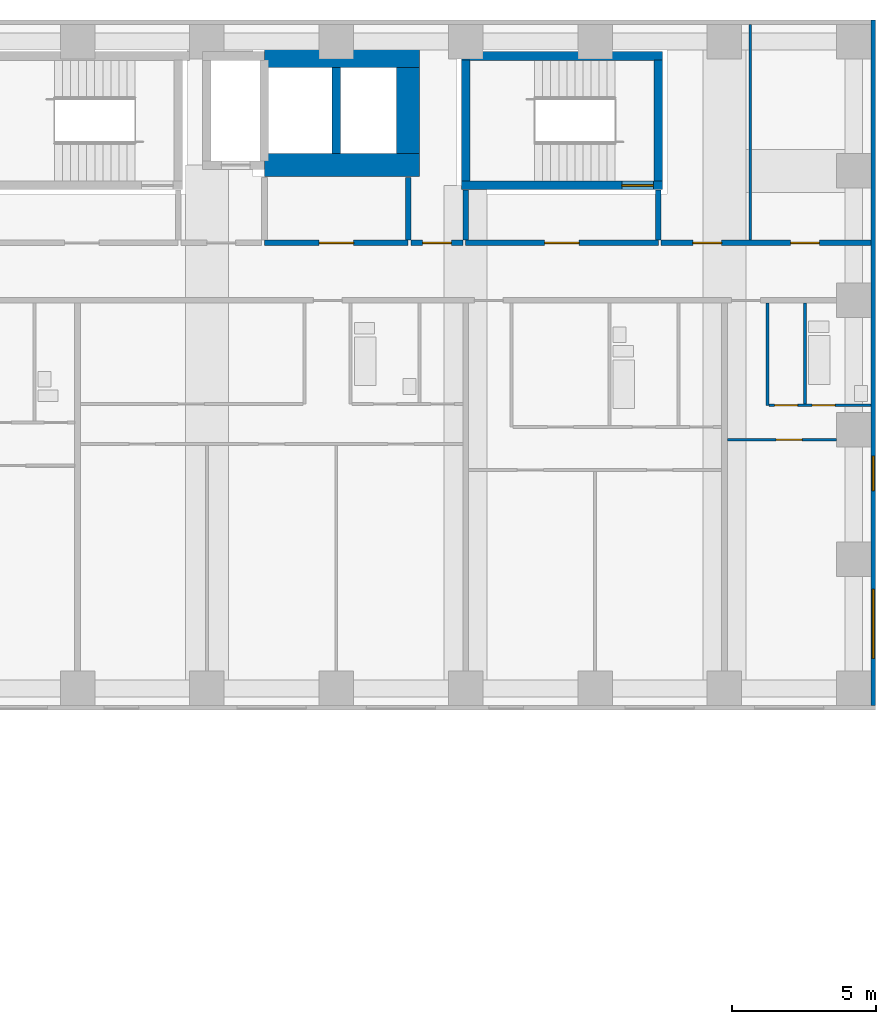
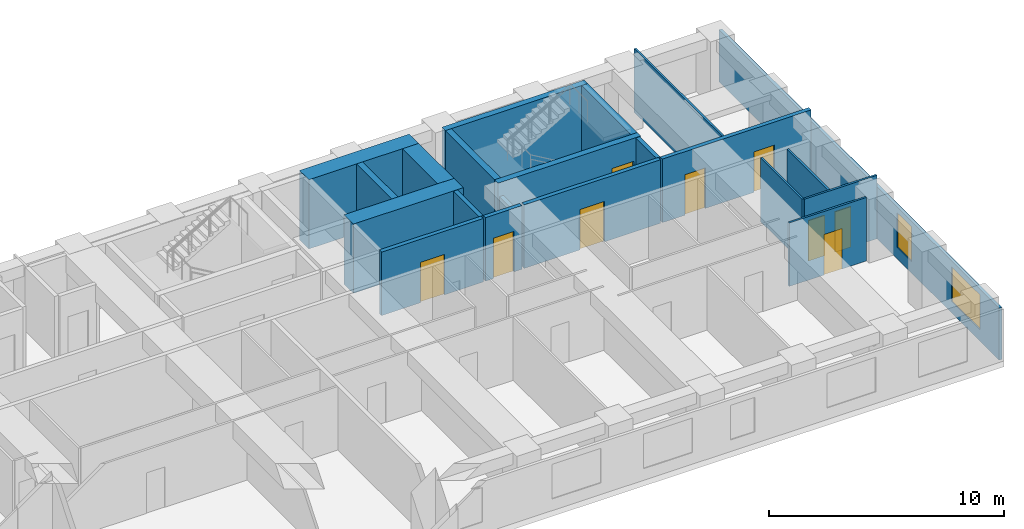
# One storey, part 8 of 11: 21 walls, 9 doors, 2 windows, 11 openings.
"""IFC4 building model written with IfcOpenShell, lengths in metres."""

from ifc_helpers import new_model, si_unit, direction, frame, frame_2d, origin, place, context, subcontext, project, spatial, rectangle, extrude, material, layer, layer_set, type_object, element, fill, save


model = new_model("IFC4")

# Units and contexts
model_context = context("Model", 3, precision=1e-05, world=origin(), true_north=direction((0.0, 1.0)))
body_context = subcontext(model_context, "Body", "Model", "MODEL_VIEW")
ifc_project = project(units=[si_unit("LENGTHUNIT", "METRE"), si_unit("AREAUNIT", "SQUARE_METRE"), si_unit("VOLUMEUNIT", "CUBIC_METRE"), si_unit("PLANEANGLEUNIT", "RADIAN"), si_unit("MASSUNIT", "GRAM", prefix="KILO")], contexts=[model_context])

# Site, building, storey
site_placement = place(None, origin())
site = spatial("IfcSite", under=ifc_project, at=site_placement, CompositionType="ELEMENT")
building_placement = place(site_placement, origin())
building = spatial("IfcBuilding", under=site, at=building_placement, Name="Firuza Court", CompositionType="ELEMENT")
storey_placement = place(building_placement, frame((0.0, 0.0, 57.800048828125)))
storey = spatial("IfcBuildingStorey", under=building, at=storey_placement, Name="L13", CompositionType="ELEMENT", Elevation=57.800048828125)

# Walls
ifc_material_1 = material(Name="Moisture-resistant gypsum board partition")
ifc_layer_1 = layer(ifc_material_1, 0.10009765625)
ifc_layer_set_1 = layer_set([ifc_layer_1], Name="Moisture-resistant gypsum board partition")
wall_type_1 = type_object("IfcWallType", Name="Bathroom partition 100", PredefinedType="PLUMBINGWALL", material=ifc_layer_set_1)
wall_1_placement = place(storey_placement, frame((65.800048828125, 45.89990234375, 0.0), z_axis=(0.0, 0.0, 1.0), x_axis=(0.0, 1.0, 0.0)))
element("IfcWall", 1, at=wall_1_placement, inside=storey, type_object=wall_type_1, Name="Bathroom partition 100 L13", PredefinedType="PLUMBINGWALL", context=body_context, shape_type="SweptSolid", body=[
    extrude(rectangle(XDim=3.5, YDim=0.10009765625, at=frame_2d((1.75, 0.0))), origin(), (0.0, 0.0, 1.0), 3.300048828125),
])
ifc_material_2 = material(Name="Concrete C60/75", Category="concrete")
ifc_layer_2 = layer(ifc_material_2, 0.300048828125)
ifc_layer_set_2 = layer_set([ifc_layer_2], Name="Concrete C60/75")
wall_type_2 = type_object("IfcWallType", Name="Core wall 300 C60/75", PredefinedType="SHEAR", material=ifc_layer_set_2)
wall_2_placement = place(storey_placement, frame((49.5, 54.60009765625, -0.300048828125), z_axis=(0.0, 0.0, 1.0), x_axis=(0.0, 1.0, 0.0)))
element("IfcWall", 2, at=wall_2_placement, inside=storey, type_object=wall_type_2, Name="Core wall lift shaft L13", PredefinedType="SHEAR", context=body_context, shape_type="SweptSolid", body=[
    extrude(rectangle(XDim=3.0, YDim=0.300048828125, at=frame_2d((1.5, 0.0))), origin(), (0.0, 0.0, 1.0), 3.60009765625),
])

# Wall, opening, door
wall_3_placement = place(storey_placement, frame((53.85009765625, 53.5, -0.300048828125), z_axis=(0.0, 0.0, 1.0), x_axis=(1.0, 0.0, 0.0)))
wall_3 = element("IfcWall", 3, at=wall_3_placement, inside=storey, type_object=wall_type_2, Name="Core wall stair L13", PredefinedType="SHEAR", context=body_context, shape_type="SweptSolid", body=[
    extrude(rectangle(XDim=7.0, YDim=0.300048828125, at=frame_2d((3.5, 0.0))), origin(), (0.0, 0.0, 1.0), 3.60009765625),
])
opening_1_placement = place(wall_3_placement, frame((5.580078125, 0.0, 0.300048828125)))
opening_1 = element("IfcOpeningElement", 4, at=opening_1_placement, cuts=wall_3, Name="Opening D13017", PredefinedType="OPENING", context=body_context, shape_type="SweptSolid", body=[
    extrude(rectangle(XDim=1.10009765625, YDim=2.10009765625, at=frame_2d((0.550048828125, 1.050048828125))), frame((0.0, 0.162109375, 0.0), z_axis=(0.0, -1.0, 0.0), x_axis=(1.0, 0.0, 0.0)), (0.0, 0.0, 1.0), 0.323974609375),
])
ifc_material_3 = material(Name="Timber door leaf in hardwood frame", Category="wood")
door_type_1 = type_object("IfcDoorType", Name="Stair door 1100", OperationType="SINGLE_SWING_LEFT", PredefinedType="DOOR", material=ifc_material_3)
door_1_placement = place(opening_1_placement, origin())
door_1 = element("IfcDoor", 5, at=door_1_placement, inside=storey, type_object=door_type_1, Name="Stair door S4", OperationType="SINGLE_SWING_RIGHT", OverallHeight=2.10009765625, OverallWidth=1.10009765625, PredefinedType="DOOR", context=body_context, shape_type="SweptSolid", body=[
    extrude(rectangle(XDim=1.10009765625, YDim=2.10009765625, at=frame_2d((0.550048828125, 1.050048828125))), frame((0.0, 0.02490234375, 0.0), z_axis=(0.0, -1.0, 0.0), x_axis=(1.0, 0.0, 0.0)), (0.0, 0.0, 1.0), 0.050048828125),
])
fill(opening_1, door_1)

# Walls
wall_4_placement = place(storey_placement, frame((53.85009765625, 58.0, -0.300048828125), z_axis=(0.0, 0.0, 1.0), x_axis=(1.0, 0.0, 0.0)))
element("IfcWall", 6, at=wall_4_placement, inside=storey, type_object=wall_type_2, Name="Core wall stair L13", PredefinedType="SHEAR", context=body_context, shape_type="SweptSolid", body=[
    extrude(rectangle(XDim=7.0, YDim=0.300048828125, at=frame_2d((3.5, 0.0))), origin(), (0.0, 0.0, 1.0), 3.60009765625),
])
for number, where, z_axis, x_axis, name in (
    (7, (54.0, 53.64990234375, -0.300048828125), (0.0, 0.0, 1.0), (0.0, 1.0, 0.0), "Core wall stair L13"),
    (8, (60.699951171875, 53.64990234375, -0.300048828125), (0.0, 0.0, 1.0), (0.0, 1.0, 0.0), "Core wall stair L13"),
):
    element("IfcWall", number, at=place(storey_placement, frame(where, z_axis=z_axis, x_axis=x_axis)), inside=storey, type_object=wall_type_2, Name=name, PredefinedType="SHEAR", context=body_context, shape_type="SweptSolid", body=[
        extrude(rectangle(XDim=4.2001953125, YDim=0.300048828125, at=frame_2d((2.10009765625, 0.0))), origin(), (0.0, 0.0, 1.0), 3.60009765625),
    ])
ifc_layer_3 = layer(ifc_material_2, 0.800048828125)
ifc_layer_set_3 = layer_set([ifc_layer_3], Name="Concrete C60/75")
wall_type_3 = type_object("IfcWallType", Name="Core wall 800 C60/75", PredefinedType="SHEAR", material=ifc_layer_set_3)
for number, where, z_axis, x_axis, name in (
    (9, (47.0, 54.199951171875, -0.300048828125), (0.0, 0.0, 1.0), (1.0, 0.0, 0.0), "Core wall lift shaft L13"),
    (10, (47.0, 58.0, -0.300048828125), (0.0, 0.0, 1.0), (1.0, 0.0, 0.0), "Core wall lift shaft L13"),
):
    element("IfcWall", number, at=place(storey_placement, frame(where, z_axis=z_axis, x_axis=x_axis)), inside=storey, type_object=wall_type_3, Name=name, PredefinedType="SHEAR", context=body_context, shape_type="SweptSolid", body=[
        extrude(rectangle(XDim=5.39990234375, YDim=0.800048828125, at=frame_2d((2.699951171875, 0.0))), origin(), (0.0, 0.0, 1.0), 3.60009765625),
    ])
wall_5_placement = place(storey_placement, frame((52.0, 54.60009765625, -0.300048828125), z_axis=(0.0, 0.0, 1.0), x_axis=(0.0, 1.0, 0.0)))
element("IfcWall", 11, at=wall_5_placement, inside=storey, type_object=wall_type_3, Name="Core wall lift shaft L13", PredefinedType="SHEAR", context=body_context, shape_type="SweptSolid", body=[
    extrude(rectangle(XDim=3.0, YDim=0.800048828125, at=frame_2d((1.5, 0.0))), origin(), (0.0, 0.0, 1.0), 3.60009765625),
])

# Wall, opening, door
ifc_material_4 = material(Name="Blockwork, plastered both sides", Category="masonry")
ifc_layer_4 = layer(ifc_material_4, 0.199951171875)
ifc_layer_set_4 = layer_set([ifc_layer_4], Name="Blockwork, plastered both sides")
wall_type_4 = type_object("IfcWallType", Name="Corridor wall 200", PredefinedType="PARTITIONING", material=ifc_layer_set_4)
wall_6_placement = place(storey_placement, frame((52.10009765625, 51.5, 0.0), z_axis=(0.0, 0.0, 1.0), x_axis=(1.0, 0.0, 0.0)))
wall_6 = element("IfcWall", 12, at=wall_6_placement, inside=storey, type_object=wall_type_4, Name="Corridor wall 200 L13", PredefinedType="PARTITIONING", context=body_context, shape_type="SweptSolid", body=[
    extrude(rectangle(XDim=1.7998046875, YDim=0.199951171875, at=frame_2d((0.89990234375, 0.0))), origin(), (0.0, 0.0, 1.0), 3.300048828125),
])
opening_2_placement = place(wall_6_placement, frame((0.39990234375, 0.0, 0.0)))
opening_2 = element("IfcOpeningElement", 13, at=opening_2_placement, cuts=wall_6, Name="Opening D13072", PredefinedType="OPENING", context=body_context, shape_type="SweptSolid", body=[
    extrude(rectangle(XDim=1.0, YDim=2.10009765625, at=frame_2d((0.5, 1.050048828125))), frame((0.0, 0.11181640625, 0.0), z_axis=(0.0, -1.0, 0.0), x_axis=(1.0, 0.0, 0.0)), (0.0, 0.0, 1.0), 0.223876953125),
])
ifc_material_5 = material(Name="Timber door leaf in hardwood frame", Category="wood")
door_type_2 = type_object("IfcDoorType", Name="Store door 1000", OperationType="SINGLE_SWING_LEFT", PredefinedType="DOOR", material=ifc_material_5)
door_2_placement = place(opening_2_placement, origin())
door_2 = element("IfcDoor", 14, at=door_2_placement, inside=storey, type_object=door_type_2, Name="Luggage store door", OperationType="SINGLE_SWING_LEFT", OverallHeight=2.10009765625, OverallWidth=1.0, PredefinedType="DOOR", context=body_context, shape_type="SweptSolid", body=[
    extrude(rectangle(XDim=1.0, YDim=2.10009765625, at=frame_2d((0.5, 1.050048828125))), frame((0.0, 0.02490234375, 0.0), z_axis=(0.0, -1.0, 0.0), x_axis=(1.0, 0.0, 0.0)), (0.0, 0.0, 1.0), 0.050048828125),
])
fill(opening_2, door_2)

# Wall, openings, doors
wall_7_placement = place(storey_placement, frame((60.800048828125, 51.5, 0.0), z_axis=(0.0, 0.0, 1.0), x_axis=(1.0, 0.0, 0.0)))
wall_7 = element("IfcWall", 15, at=wall_7_placement, inside=storey, type_object=wall_type_4, Name="Corridor wall 200 L13", PredefinedType="PARTITIONING", context=body_context, shape_type="SweptSolid", body=[
    extrude(rectangle(XDim=7.300048828125, YDim=0.199951171875, at=frame_2d((3.64990234375, 0.0))), origin(), (0.0, 0.0, 1.0), 3.300048828125),
])
opening_3_placement = place(wall_7_placement, frame((1.10009765625, 0.0, 0.0)))
opening_3 = element("IfcOpeningElement", 16, at=opening_3_placement, cuts=wall_7, Name="Opening D13073", PredefinedType="OPENING", context=body_context, shape_type="SweptSolid", body=[
    extrude(rectangle(XDim=1.0, YDim=2.10009765625, at=frame_2d((0.5, 1.050048828125))), frame((0.0, 0.11181640625, 0.0), z_axis=(0.0, -1.0, 0.0), x_axis=(1.0, 0.0, 0.0)), (0.0, 0.0, 1.0), 0.223876953125),
])
opening_4_placement = place(wall_7_placement, frame((4.5, 0.0, 0.0)))
opening_4 = element("IfcOpeningElement", 17, at=opening_4_placement, cuts=wall_7, Name="Opening D13074", PredefinedType="OPENING", context=body_context, shape_type="SweptSolid", body=[
    extrude(rectangle(XDim=1.0, YDim=2.10009765625, at=frame_2d((0.5, 1.050048828125))), frame((0.0, 0.11181640625, 0.0), z_axis=(0.0, -1.0, 0.0), x_axis=(1.0, 0.0, 0.0)), (0.0, 0.0, 1.0), 0.223876953125),
])
door_3_placement = place(opening_3_placement, origin())
door_3 = element("IfcDoor", 18, at=door_3_placement, inside=storey, type_object=door_type_2, Name="Comms room door", OperationType="SINGLE_SWING_LEFT", OverallHeight=2.10009765625, OverallWidth=1.0, PredefinedType="DOOR", context=body_context, shape_type="SweptSolid", body=[
    extrude(rectangle(XDim=1.0, YDim=2.10009765625, at=frame_2d((0.5, 1.050048828125))), frame((0.0, 0.02490234375, 0.0), z_axis=(0.0, -1.0, 0.0), x_axis=(1.0, 0.0, 0.0)), (0.0, 0.0, 1.0), 0.050048828125),
])
fill(opening_3, door_3)
door_4_placement = place(opening_4_placement, origin())
door_4 = element("IfcDoor", 19, at=door_4_placement, inside=storey, type_object=door_type_2, Name="Parcel room door", OperationType="SINGLE_SWING_LEFT", OverallHeight=2.10009765625, OverallWidth=1.0, PredefinedType="DOOR", context=body_context, shape_type="SweptSolid", body=[
    extrude(rectangle(XDim=1.0, YDim=2.10009765625, at=frame_2d((0.5, 1.050048828125))), frame((0.0, 0.02490234375, 0.0), z_axis=(0.0, -1.0, 0.0), x_axis=(1.0, 0.0, 0.0)), (0.0, 0.0, 1.0), 0.050048828125),
])
fill(opening_4, door_4)

# Wall, opening, door
ifc_material_6 = material(Name="Timber stud partition, plasterboard both sides", Category="wood")
ifc_layer_5 = layer(ifc_material_6, 0.10009765625)
ifc_layer_set_5 = layer_set([ifc_layer_5], Name="Timber stud partition, plasterboard both sides")
wall_type_5 = type_object("IfcWallType", Name="Partition wall 100", PredefinedType="PARTITIONING", material=ifc_layer_set_5)
wall_8_placement = place(storey_placement, frame((63.10009765625, 44.64990234375, 0.0), z_axis=(0.0, 0.0, 1.0), x_axis=(1.0, 0.0, 0.0)))
wall_8 = element("IfcWall", 20, at=wall_8_placement, inside=storey, type_object=wall_type_5, Name="Partition wall 100 L13", PredefinedType="PARTITIONING", context=body_context, shape_type="SweptSolid", body=[
    extrude(rectangle(XDim=3.7998046875, YDim=0.10009765625, at=frame_2d((1.89990234375, 0.0))), origin(), (0.0, 0.0, 1.0), 3.300048828125),
])
opening_5_placement = place(wall_8_placement, frame((1.699951171875, 0.0, 0.0)))
opening_5 = element("IfcOpeningElement", 21, at=opening_5_placement, cuts=wall_8, Name="Opening D13050", PredefinedType="OPENING", context=body_context, shape_type="SweptSolid", body=[
    extrude(rectangle(XDim=0.89990234375, YDim=2.10009765625, at=frame_2d((0.449951171875, 1.050048828125))), frame((0.0, 0.06201171875, 0.0), z_axis=(0.0, -1.0, 0.0), x_axis=(1.0, 0.0, 0.0)), (0.0, 0.0, 1.0), 0.1240234375),
])
ifc_material_7 = material(Name="Timber door leaf in hardwood frame", Category="wood")
door_type_3 = type_object("IfcDoorType", Name="Room door 900", OperationType="SINGLE_SWING_LEFT", PredefinedType="DOOR", material=ifc_material_7)
door_5_placement = place(opening_5_placement, frame((0.89990234375, 0.0, 0.0), z_axis=(0.0, 0.0, 1.0), x_axis=(-1.0, 0.0, 0.0)))
door_5 = element("IfcDoor", 22, at=door_5_placement, inside=storey, type_object=door_type_3, Name="Studio room door", OperationType="SINGLE_SWING_LEFT", OverallHeight=2.10009765625, OverallWidth=0.89990234375, PredefinedType="DOOR", context=body_context, shape_type="SweptSolid", body=[
    extrude(rectangle(XDim=0.89990234375, YDim=2.10009765625, at=frame_2d((0.449951171875, 1.050048828125))), frame((0.0, 0.02490234375, 0.0), z_axis=(0.0, -1.0, 0.0), x_axis=(1.0, 0.0, 0.0)), (0.0, 0.0, 1.0), 0.050048828125),
])
fill(opening_5, door_5)

# Wall
wall_9_placement = place(storey_placement, frame((64.5, 45.85009765625, 0.0), z_axis=(0.0, 0.0, 1.0), x_axis=(0.0, 1.0, 0.0)))
element("IfcWall", 23, at=wall_9_placement, inside=storey, type_object=wall_type_5, Name="Partition wall 100 L13", PredefinedType="PARTITIONING", context=body_context, shape_type="SweptSolid", body=[
    extrude(rectangle(XDim=3.5498046875, YDim=0.10009765625, at=frame_2d((1.77490234375, 0.0))), origin(), (0.0, 0.0, 1.0), 3.300048828125),
])

# Wall, openings, doors
wall_10_placement = place(storey_placement, frame((64.550048828125, 45.85009765625, 0.0), z_axis=(0.0, 0.0, 1.0), x_axis=(1.0, 0.0, 0.0)))
wall_10 = element("IfcWall", 24, at=wall_10_placement, inside=storey, type_object=wall_type_5, Name="Partition wall 100 L13", PredefinedType="PARTITIONING", context=body_context, shape_type="SweptSolid", body=[
    extrude(rectangle(XDim=3.550048828125, YDim=0.10009765625, at=frame_2d((1.77490234375, 0.0))), origin(), (0.0, 0.0, 1.0), 3.300048828125),
])
opening_6_placement = place(wall_10_placement, frame((1.5, 0.0, 0.0)))
opening_6 = element("IfcOpeningElement", 25, at=opening_6_placement, cuts=wall_10, Name="Opening D13059", PredefinedType="OPENING", context=body_context, shape_type="SweptSolid", body=[
    extrude(rectangle(XDim=0.800048828125, YDim=2.10009765625, at=frame_2d((0.39990234375, 1.050048828125))), frame((0.0, 0.06201171875, 0.0), z_axis=(0.0, -1.0, 0.0), x_axis=(1.0, 0.0, 0.0)), (0.0, 0.0, 1.0), 0.1240234375),
])
opening_7_placement = place(wall_10_placement, frame((0.199951171875, 0.0, 0.0)))
opening_7 = element("IfcOpeningElement", 26, at=opening_7_placement, cuts=wall_10, Name="Opening D13060", PredefinedType="OPENING", context=body_context, shape_type="SweptSolid", body=[
    extrude(rectangle(XDim=0.800048828125, YDim=2.10009765625, at=frame_2d((0.39990234375, 1.050048828125))), frame((0.0, 0.06201171875, 0.0), z_axis=(0.0, -1.0, 0.0), x_axis=(1.0, 0.0, 0.0)), (0.0, 0.0, 1.0), 0.1240234375),
])
ifc_material_8 = material(Name="Timber door leaf in hardwood frame", Category="wood")
door_type_4 = type_object("IfcDoorType", Name="Bathroom door 800", OperationType="SINGLE_SWING_LEFT", PredefinedType="DOOR", material=ifc_material_8)
door_6_placement = place(opening_6_placement, origin())
door_6 = element("IfcDoor", 27, at=door_6_placement, inside=storey, type_object=door_type_4, Name="Bathroom door", OperationType="SINGLE_SWING_LEFT", OverallHeight=2.10009765625, OverallWidth=0.800048828125, PredefinedType="DOOR", context=body_context, shape_type="SweptSolid", body=[
    extrude(rectangle(XDim=0.800048828125, YDim=2.10009765625, at=frame_2d((0.39990234375, 1.050048828125))), frame((0.0, 0.02490234375, 0.0), z_axis=(0.0, -1.0, 0.0), x_axis=(1.0, 0.0, 0.0)), (0.0, 0.0, 1.0), 0.050048828125),
])
fill(opening_6, door_6)
ifc_material_9 = material(Name="Timber door leaf in hardwood frame", Category="wood")
door_type_5 = type_object("IfcDoorType", Name="Room door 800", OperationType="SINGLE_SWING_LEFT", PredefinedType="DOOR", material=ifc_material_9)
door_7_placement = place(opening_7_placement, origin())
door_7 = element("IfcDoor", 28, at=door_7_placement, inside=storey, type_object=door_type_5, Name="Kitchen door", OperationType="SINGLE_SWING_LEFT", OverallHeight=2.10009765625, OverallWidth=0.800048828125, PredefinedType="DOOR", context=body_context, shape_type="SweptSolid", body=[
    extrude(rectangle(XDim=0.800048828125, YDim=2.10009765625, at=frame_2d((0.39990234375, 1.050048828125))), frame((0.0, 0.02490234375, 0.0), z_axis=(0.0, -1.0, 0.0), x_axis=(1.0, 0.0, 0.0)), (0.0, 0.0, 1.0), 0.050048828125),
])
fill(opening_7, door_7)

# Wall
wall_11_placement = place(storey_placement, frame((63.89990234375, 51.60009765625, 0.0), z_axis=(0.0, 0.0, 1.0), x_axis=(0.0, 1.0, 0.0)))
element("IfcWall", 29, at=wall_11_placement, inside=storey, type_object=wall_type_5, Name="Partition wall 100 L13", PredefinedType="PARTITIONING", context=body_context, shape_type="SweptSolid", body=[
    extrude(rectangle(XDim=7.5, YDim=0.10009765625, at=frame_2d((3.75, 0.0))), origin(), (0.0, 0.0, 1.0), 3.300048828125),
])

# Wall, openings, windows
ifc_material_10 = material(Name="Ceramic tile", Category="ceramic")
ifc_layer_6 = layer(ifc_material_10, 0.02001953125)
ifc_material_11 = material(Name="Mineral wool insulation", Category="insulation")
ifc_layer_7 = layer(ifc_material_11, 0.050048828125)
ifc_material_12 = material(Name="Concrete C40/50 precast", Category="concrete")
ifc_layer_8 = layer(ifc_material_12, 0.080078125)
ifc_layer_set_6 = layer_set([ifc_layer_6, ifc_layer_7, ifc_layer_8], Name="Concrete C40/50 precast")
wall_type_6 = type_object("IfcWallType", Name="Precast cladding wall with turquoise TILE PANEL face 150", PredefinedType="STANDARD", material=ifc_layer_set_6)
wall_12_placement = place(storey_placement, frame((68.175048828125, 35.39990234375, 0.0), z_axis=(0.0, 0.0, 1.0), x_axis=(0.0, 1.0, 0.0)))
wall_12 = element("IfcWall", 30, at=wall_12_placement, inside=storey, type_object=wall_type_6, Name="Facade wall L13 E", PredefinedType="STANDARD", context=body_context, shape_type="SweptSolid", body=[
    extrude(rectangle(XDim=23.85009765625, YDim=0.14990234375, at=frame_2d((11.925048828125, 0.0))), origin(), (0.0, 0.0, 1.0), 2.699951171875),
])
opening_8_placement = place(wall_12_placement, frame((1.64990234375, 0.0, 0.60009765625)))
opening_8 = element("IfcOpeningElement", 31, at=opening_8_placement, cuts=wall_12, Name="Opening W1", PredefinedType="OPENING", context=body_context, shape_type="SweptSolid", body=[
    extrude(rectangle(XDim=2.39990234375, YDim=1.800048828125, at=frame_2d((1.199951171875, 0.89990234375))), frame((0.0, 0.0869140625, 0.0), z_axis=(0.0, -1.0, 0.0), x_axis=(1.0, 0.0, 0.0)), (0.0, 0.0, 1.0), 0.173828125),
])
opening_9_placement = place(wall_12_placement, frame((7.476806640625, 0.0, 0.60009765625)))
opening_9 = element("IfcOpeningElement", 32, at=opening_9_placement, cuts=wall_12, Name="Opening W8", PredefinedType="OPENING", context=body_context, shape_type="SweptSolid", body=[
    extrude(rectangle(XDim=1.199951171875, YDim=1.800048828125, at=frame_2d((0.60009765625, 0.89990234375))), frame((0.0, 0.0869140625, 0.0), z_axis=(0.0, -1.0, 0.0), x_axis=(1.0, 0.0, 0.0)), (0.0, 0.0, 1.0), 0.173828125),
])
ifc_material_13 = material(Name="Aluminium frame, triple clear glazing", Category="aluminium")
window_type_1 = type_object("IfcWindowType", Name="Window W1 2400 x 1800", PartitioningType="SINGLE_PANEL", PredefinedType="WINDOW", material=ifc_material_13)
window_1_placement = place(opening_8_placement, origin())
window_1 = element("IfcWindow", 33, at=window_1_placement, inside=storey, type_object=window_type_1, Name="Window L13", OverallHeight=1.800048828125, OverallWidth=2.39990234375, PartitioningType="SINGLE_PANEL", PredefinedType="WINDOW", context=body_context, shape_type="SweptSolid", body=[
    extrude(rectangle(XDim=2.39990234375, YDim=1.800048828125, at=frame_2d((1.199951171875, 0.89990234375))), frame((0.0, 0.030029296875, 0.0), z_axis=(0.0, -1.0, 0.0), x_axis=(1.0, 0.0, 0.0)), (0.0, 0.0, 1.0), 0.06005859375),
])
fill(opening_8, window_1)
ifc_material_14 = material(Name="Aluminium frame, triple clear glazing", Category="aluminium")
window_type_2 = type_object("IfcWindowType", Name="Window W8 1200 x 1800", PartitioningType="SINGLE_PANEL", PredefinedType="WINDOW", material=ifc_material_14)
window_2_placement = place(opening_9_placement, origin())
window_2 = element("IfcWindow", 34, at=window_2_placement, inside=storey, type_object=window_type_2, Name="Window L13", OverallHeight=1.800048828125, OverallWidth=1.199951171875, PartitioningType="SINGLE_PANEL", PredefinedType="WINDOW", context=body_context, shape_type="SweptSolid", body=[
    extrude(rectangle(XDim=1.199951171875, YDim=1.800048828125, at=frame_2d((0.60009765625, 0.89990234375))), frame((0.0, 0.030029296875, 0.0), z_axis=(0.0, -1.0, 0.0), x_axis=(1.0, 0.0, 0.0)), (0.0, 0.0, 1.0), 0.06005859375),
])
fill(opening_9, window_2)

# Wall, opening, door
ifc_material_15 = material(Name="Blockwork, fire-rated", Category="masonry")
ifc_layer_9 = layer(ifc_material_15, 0.199951171875)
ifc_layer_set_7 = layer_set([ifc_layer_9], Name="Blockwork, fire-rated")
wall_type_7 = type_object("IfcWallType", Name="Shaft wall 200", PredefinedType="PARTITIONING", material=ifc_layer_set_7)
wall_13_placement = place(storey_placement, frame((47.0, 51.5, 0.0), z_axis=(0.0, 0.0, 1.0), x_axis=(1.0, 0.0, 0.0)))
wall_13 = element("IfcWall", 35, at=wall_13_placement, inside=storey, type_object=wall_type_7, Name="Shaft wall 200 L13", PredefinedType="PARTITIONING", context=body_context, shape_type="SweptSolid", body=[
    extrude(rectangle(XDim=5.0, YDim=0.199951171875, at=frame_2d((2.5, 0.0))), origin(), (0.0, 0.0, 1.0), 3.300048828125),
])
opening_10_placement = place(wall_13_placement, frame((1.89990234375, 0.0, 0.0)))
opening_10 = element("IfcOpeningElement", 36, at=opening_10_placement, cuts=wall_13, Name="Opening D13009", PredefinedType="OPENING", context=body_context, shape_type="SweptSolid", body=[
    extrude(rectangle(XDim=1.199951171875, YDim=2.10009765625, at=frame_2d((0.60009765625, 1.050048828125))), frame((0.0, 0.11181640625, 0.0), z_axis=(0.0, -1.0, 0.0), x_axis=(1.0, 0.0, 0.0)), (0.0, 0.0, 1.0), 0.223876953125),
])
ifc_material_16 = material(Name="Timber door leaf in hardwood frame", Category="wood")
door_type_6 = type_object("IfcDoorType", Name="Lobby door 1200", OperationType="SINGLE_SWING_LEFT", PredefinedType="DOOR", material=ifc_material_16)
door_8_placement = place(opening_10_placement, origin())
door_8 = element("IfcDoor", 37, at=door_8_placement, inside=storey, type_object=door_type_6, Name="Lobby door", OperationType="SINGLE_SWING_LEFT", OverallHeight=2.10009765625, OverallWidth=1.199951171875, PredefinedType="DOOR", context=body_context, shape_type="SweptSolid", body=[
    extrude(rectangle(XDim=1.199951171875, YDim=2.10009765625, at=frame_2d((0.60009765625, 1.050048828125))), frame((0.0, 0.02490234375, 0.0), z_axis=(0.0, -1.0, 0.0), x_axis=(1.0, 0.0, 0.0)), (0.0, 0.0, 1.0), 0.050048828125),
])
fill(opening_10, door_8)

# Wall
wall_14_placement = place(storey_placement, frame((52.0, 51.60009765625, 0.0), z_axis=(0.0, 0.0, 1.0), x_axis=(0.0, 1.0, 0.0)))
element("IfcWall", 38, at=wall_14_placement, inside=storey, type_object=wall_type_7, Name="Shaft wall 200 L13", PredefinedType="PARTITIONING", context=body_context, shape_type="SweptSolid", body=[
    extrude(rectangle(XDim=2.179931640625, YDim=0.199951171875, at=frame_2d((1.08984375, 0.0))), origin(), (0.0, 0.0, 1.0), 3.300048828125),
])

# Wall, opening, door
wall_15_placement = place(storey_placement, frame((54.0, 51.5, 0.0), z_axis=(0.0, 0.0, 1.0), x_axis=(1.0, 0.0, 0.0)))
wall_15 = element("IfcWall", 39, at=wall_15_placement, inside=storey, type_object=wall_type_7, Name="Shaft wall 200 L13", PredefinedType="PARTITIONING", context=body_context, shape_type="SweptSolid", body=[
    extrude(rectangle(XDim=6.699951171875, YDim=0.199951171875, at=frame_2d((3.35009765625, 0.0))), origin(), (0.0, 0.0, 1.0), 3.300048828125),
])
opening_11_placement = place(wall_15_placement, frame((2.75, 0.0, 0.0)))
opening_11 = element("IfcOpeningElement", 40, at=opening_11_placement, cuts=wall_15, Name="Opening D13007", PredefinedType="OPENING", context=body_context, shape_type="SweptSolid", body=[
    extrude(rectangle(XDim=1.199951171875, YDim=2.10009765625, at=frame_2d((0.60009765625, 1.050048828125))), frame((0.0, 0.11181640625, 0.0), z_axis=(0.0, -1.0, 0.0), x_axis=(1.0, 0.0, 0.0)), (0.0, 0.0, 1.0), 0.223876953125),
])
door_9_placement = place(opening_11_placement, origin())
door_9 = element("IfcDoor", 41, at=door_9_placement, inside=storey, type_object=door_type_6, Name="Lobby door", OperationType="SINGLE_SWING_LEFT", OverallHeight=2.10009765625, OverallWidth=1.199951171875, PredefinedType="DOOR", context=body_context, shape_type="SweptSolid", body=[
    extrude(rectangle(XDim=1.199951171875, YDim=2.10009765625, at=frame_2d((0.60009765625, 1.050048828125))), frame((0.0, 0.02490234375, 0.0), z_axis=(0.0, -1.0, 0.0), x_axis=(1.0, 0.0, 0.0)), (0.0, 0.0, 1.0), 0.050048828125),
])
fill(opening_11, door_9)

# Walls
wall_16_placement = place(storey_placement, frame((60.699951171875, 51.60009765625, 0.0), z_axis=(0.0, 0.0, 1.0), x_axis=(0.0, 1.0, 0.0)))
element("IfcWall", 42, at=wall_16_placement, inside=storey, type_object=wall_type_7, Name="Shaft wall 200 L13", PredefinedType="PARTITIONING", context=body_context, shape_type="SweptSolid", body=[
    extrude(rectangle(XDim=1.72998046875, YDim=0.199951171875, at=frame_2d((0.864990234375, 0.0))), origin(), (0.0, 0.0, 1.0), 3.300048828125),
])
wall_17_placement = place(storey_placement, frame((54.0, 51.60009765625, 0.0), z_axis=(0.0, 0.0, 1.0), x_axis=(0.0, 1.0, 0.0)))
element("IfcWall", 43, at=wall_17_placement, inside=storey, type_object=wall_type_7, Name="Shaft wall 200 L13", PredefinedType="PARTITIONING", context=body_context, shape_type="SweptSolid", body=[
    extrude(rectangle(XDim=1.72998046875, YDim=0.199951171875, at=frame_2d((0.864990234375, 0.0))), origin(), (0.0, 0.0, 1.0), 2.599853515625),
])

save(model, "model.ifc")
